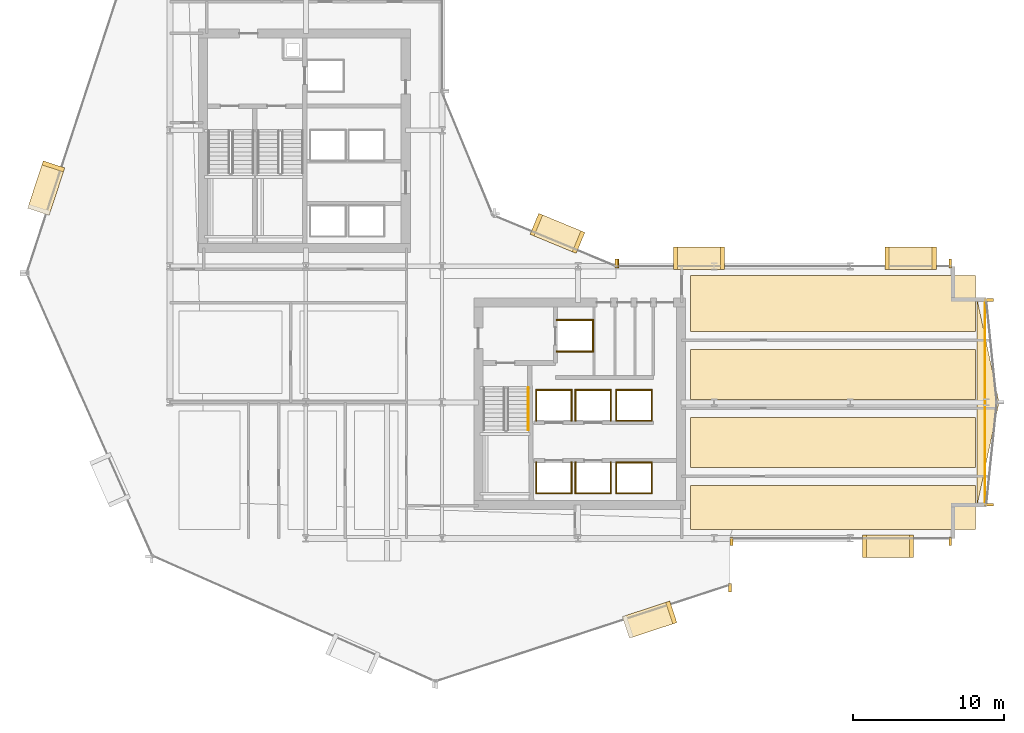
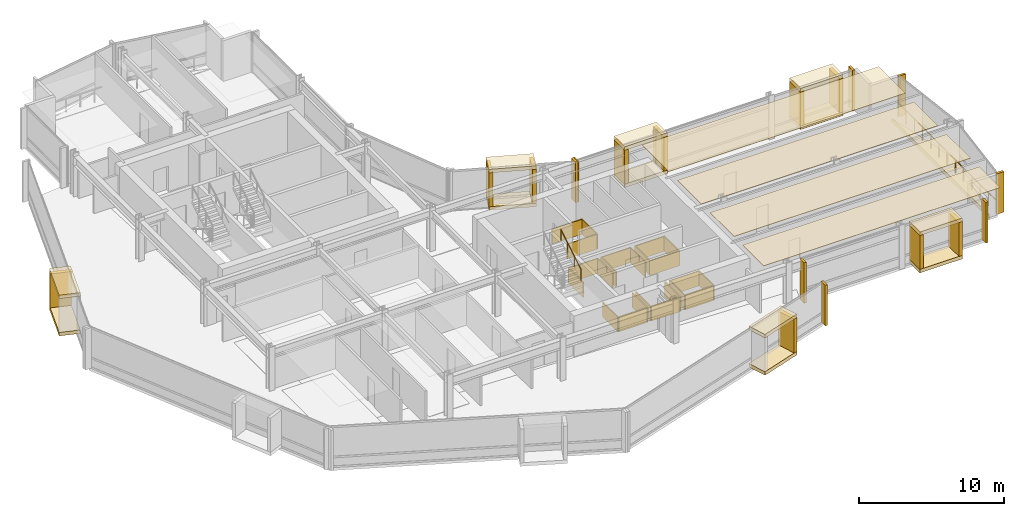
# One storey, part 32 of 34: 58 coverings, 2 railings.
"""IFC4 building model written with IfcOpenShell, lengths in metres."""

from ifc_helpers import new_model, si_unit, direction, frame, origin, origin_2d, place, context, subcontext, project, spatial, polyline, rectangle, circle, outline, extrude, material, layer, layer_set, type_object, element, save


model = new_model("IFC4")

# Units and contexts
model_context = context("Model", 3, precision=1e-05, world=origin(), true_north=direction((0.0, 1.0)))
body_context = subcontext(model_context, "Body", "Model", "MODEL_VIEW")
ifc_project = project(units=[si_unit("LENGTHUNIT", "METRE"), si_unit("AREAUNIT", "SQUARE_METRE"), si_unit("VOLUMEUNIT", "CUBIC_METRE"), si_unit("PLANEANGLEUNIT", "RADIAN"), si_unit("MASSUNIT", "GRAM", prefix="KILO")], contexts=[model_context])

# Site, building, storey
site_placement = place(None, origin())
site = spatial("IfcSite", under=ifc_project, at=site_placement, CompositionType="ELEMENT")
building_placement = place(site_placement, origin())
building = spatial("IfcBuilding", under=site, at=building_placement, Name="Solvaryn Broadcast Tower", CompositionType="ELEMENT")
storey_placement = place(building_placement, frame((0.0, 0.0, 54.5)))
storey = spatial("IfcBuildingStorey", under=building, at=storey_placement, Name="L12", CompositionType="ELEMENT", Elevation=54.5)

# Coverings
ifc_material_1 = material(Name="Micro-Perforated Acoustic Gypsum Ceiling", Category="concrete")
ifc_layer_1 = layer(ifc_material_1, 0.0400390625)
ifc_layer_set_1 = layer_set([ifc_layer_1], Name="CV-CEIL-ACOUSTIC")
covering_type_1 = type_object("IfcCoveringType", Name="CV-CEIL-ACOUSTIC", PredefinedType="CEILING", material=ifc_layer_set_1)
covering_1_placement = place(storey_placement, frame((0.0, 0.0, 3.3798828125)))
element("IfcCovering", 1, at=covering_1_placement, inside=storey, type_object=covering_type_1, Name="L12 Room Acoustic Ceiling 9", PredefinedType="CEILING", context=body_context, shape_type="SweptSolid", body=[
    extrude(outline(polyline([(43.449951171875, 9.60009765625), (62.300048828125, 9.60009765625), (62.300048828125, 12.5), (43.449951171875, 12.5), (43.449951171875, 9.60009765625)])), origin(), (0.0, 0.0, 1.0), 0.0400390625),
])
covering_2_placement = place(storey_placement, frame((0.0, 0.0, 3.3798828125)))
element("IfcCovering", 2, at=covering_2_placement, inside=storey, type_object=covering_type_1, Name="L12 Room Acoustic Ceiling 10", PredefinedType="CEILING", context=body_context, shape_type="SweptSolid", body=[
    extrude(outline(polyline([(43.449951171875, 13.699951171875), (62.300048828125, 13.699951171875), (62.300048828125, 17.0), (43.449951171875, 17.0), (43.449951171875, 13.699951171875)])), origin(), (0.0, 0.0, 1.0), 0.0400390625),
])
covering_3_placement = place(storey_placement, frame((0.0, 0.0, 3.3798828125)))
element("IfcCovering", 3, at=covering_3_placement, inside=storey, type_object=covering_type_1, Name="L12 Room Acoustic Ceiling 11", PredefinedType="CEILING", context=body_context, shape_type="SweptSolid", body=[
    extrude(outline(polyline([(43.449951171875, 18.199951171875), (62.300048828125, 18.199951171875), (62.300048828125, 21.5), (43.449951171875, 21.5), (43.449951171875, 18.199951171875)])), origin(), (0.0, 0.0, 1.0), 0.0400390625),
])
covering_4_placement = place(storey_placement, frame((0.0, 0.0, 3.3798828125)))
element("IfcCovering", 4, at=covering_4_placement, inside=storey, type_object=covering_type_1, Name="L12 Room Acoustic Ceiling 12", PredefinedType="CEILING", context=body_context, shape_type="SweptSolid", body=[
    extrude(outline(polyline([(43.449951171875, 22.699951171875), (62.300048828125, 22.699951171875), (62.300048828125, 26.39990234375), (43.449951171875, 26.39990234375), (43.449951171875, 22.699951171875)])), origin(), (0.0, 0.0, 1.0), 0.0400390625),
])
ifc_material_2 = material(Name="Fire-Rated Gypsum Shaftwall Liner", Category="concrete")
ifc_layer_2 = layer(ifc_material_2, 0.080078125)
ifc_layer_set_2 = layer_set([ifc_layer_2], Name="CV-SHAFT-LINER")
covering_type_2 = type_object("IfcCoveringType", Name="CV-SHAFT-LINER", PredefinedType="CLADDING", material=ifc_layer_set_2)
for number, where, z_axis, x_axis, name in (
    (5, (35.800048828125, 23.43994140625, 0.0), (0.0, 0.0, 1.0), (1.0, 0.0, 0.0), "L12 FL2 Hoistway Shaft Liner North"),
    (6, (35.800048828125, 21.360107421875, 0.0), (0.0, 0.0, 1.0), (1.0, 0.0, 0.0), "L12 FL2 Hoistway Shaft Liner South"),
):
    element("IfcCovering", number, at=place(storey_placement, frame(where, z_axis=z_axis, x_axis=x_axis)), inside=storey, type_object=covering_type_2, Name=name, PredefinedType="CLADDING", context=body_context, shape_type="SweptSolid", body=[
        extrude(rectangle(XDim=2.4599609375, YDim=0.080078125, at=origin_2d()), origin(), (0.0, 0.0, 1.0), 1.25),
    ])
covering_5_placement = place(storey_placement, frame((36.989990234375, 22.39990234375, 0.0), z_axis=(0.0, 0.0, 1.0), x_axis=(1.0, 0.0, 0.0)))
element("IfcCovering", 7, at=covering_5_placement, inside=storey, type_object=covering_type_2, Name="L12 FL2 Hoistway Shaft Liner East", PredefinedType="CLADDING", context=body_context, shape_type="SweptSolid", body=[
    extrude(rectangle(XDim=0.080078125, YDim=2.159912109375, at=origin_2d()), origin(), (0.0, 0.0, 1.0), 1.25),
])
covering_6_placement = place(storey_placement, frame((34.39990234375, 11.985107421875, 0.0), z_axis=(0.0, 0.0, 1.0), x_axis=(1.0, 0.0, 0.0)))
element("IfcCovering", 8, at=covering_6_placement, inside=storey, type_object=covering_type_2, Name="L12 PL1 Hoistway Shaft Liner South", PredefinedType="CLADDING", context=body_context, shape_type="SweptSolid", body=[
    extrude(rectangle(XDim=2.409912109375, YDim=0.080078125, at=origin_2d()), origin(), (0.0, 0.0, 1.0), 1.25),
])
for number, where, z_axis, x_axis, name in (
    (9, (35.56494140625, 13.0, 0.0), (0.0, 0.0, 1.0), (1.0, 0.0, 0.0), "L12 PL1 Hoistway Shaft Liner East"),
    (10, (33.235107421875, 13.0, 0.0), (0.0, 0.0, 1.0), (1.0, 0.0, 0.0), "L12 PL1 Hoistway Shaft Liner West"),
):
    element("IfcCovering", number, at=place(storey_placement, frame(where, z_axis=z_axis, x_axis=x_axis)), inside=storey, type_object=covering_type_2, Name=name, PredefinedType="CLADDING", context=body_context, shape_type="SweptSolid", body=[
        extrude(rectangle(XDim=0.080078125, YDim=2.110107421875, at=origin_2d()), origin(), (0.0, 0.0, 1.0), 1.25),
    ])
covering_7_placement = place(storey_placement, frame((37.0, 11.985107421875, 0.0), z_axis=(0.0, 0.0, 1.0), x_axis=(1.0, 0.0, 0.0)))
element("IfcCovering", 11, at=covering_7_placement, inside=storey, type_object=covering_type_2, Name="L12 PL2 Hoistway Shaft Liner South", PredefinedType="CLADDING", context=body_context, shape_type="SweptSolid", body=[
    extrude(rectangle(XDim=2.409912109375, YDim=0.080078125, at=origin_2d()), origin(), (0.0, 0.0, 1.0), 1.25),
])
for number, where, z_axis, x_axis, name in (
    (12, (38.1650390625, 13.0, 0.0), (0.0, 0.0, 1.0), (1.0, 0.0, 0.0), "L12 PL2 Hoistway Shaft Liner East"),
    (13, (35.8349609375, 13.0, 0.0), (0.0, 0.0, 1.0), (1.0, 0.0, 0.0), "L12 PL2 Hoistway Shaft Liner West"),
):
    element("IfcCovering", number, at=place(storey_placement, frame(where, z_axis=z_axis, x_axis=x_axis)), inside=storey, type_object=covering_type_2, Name=name, PredefinedType="CLADDING", context=body_context, shape_type="SweptSolid", body=[
        extrude(rectangle(XDim=0.080078125, YDim=2.110107421875, at=origin_2d()), origin(), (0.0, 0.0, 1.0), 1.25),
    ])
covering_8_placement = place(storey_placement, frame((34.39990234375, 18.81494140625, 0.0), z_axis=(0.0, 0.0, 1.0), x_axis=(1.0, 0.0, 0.0)))
element("IfcCovering", 14, at=covering_8_placement, inside=storey, type_object=covering_type_2, Name="L12 PL3 Hoistway Shaft Liner North", PredefinedType="CLADDING", context=body_context, shape_type="SweptSolid", body=[
    extrude(rectangle(XDim=2.409912109375, YDim=0.080078125, at=origin_2d()), origin(), (0.0, 0.0, 1.0), 1.25),
])
for number, where, z_axis, x_axis, name in (
    (15, (35.56494140625, 17.800048828125, 0.0), (0.0, 0.0, 1.0), (1.0, 0.0, 0.0), "L12 PL3 Hoistway Shaft Liner East"),
    (16, (33.235107421875, 17.800048828125, 0.0), (0.0, 0.0, 1.0), (1.0, 0.0, 0.0), "L12 PL3 Hoistway Shaft Liner West"),
):
    element("IfcCovering", number, at=place(storey_placement, frame(where, z_axis=z_axis, x_axis=x_axis)), inside=storey, type_object=covering_type_2, Name=name, PredefinedType="CLADDING", context=body_context, shape_type="SweptSolid", body=[
        extrude(rectangle(XDim=0.080078125, YDim=2.110107421875, at=origin_2d()), origin(), (0.0, 0.0, 1.0), 1.25),
    ])
covering_9_placement = place(storey_placement, frame((37.0, 18.81494140625, 0.0), z_axis=(0.0, 0.0, 1.0), x_axis=(1.0, 0.0, 0.0)))
element("IfcCovering", 17, at=covering_9_placement, inside=storey, type_object=covering_type_2, Name="L12 PL4 Hoistway Shaft Liner North", PredefinedType="CLADDING", context=body_context, shape_type="SweptSolid", body=[
    extrude(rectangle(XDim=2.409912109375, YDim=0.080078125, at=origin_2d()), origin(), (0.0, 0.0, 1.0), 1.25),
])
for number, where, z_axis, x_axis, name in (
    (18, (38.1650390625, 17.800048828125, 0.0), (0.0, 0.0, 1.0), (1.0, 0.0, 0.0), "L12 PL4 Hoistway Shaft Liner East"),
    (19, (35.8349609375, 17.800048828125, 0.0), (0.0, 0.0, 1.0), (1.0, 0.0, 0.0), "L12 PL4 Hoistway Shaft Liner West"),
):
    element("IfcCovering", number, at=place(storey_placement, frame(where, z_axis=z_axis, x_axis=x_axis)), inside=storey, type_object=covering_type_2, Name=name, PredefinedType="CLADDING", context=body_context, shape_type="SweptSolid", body=[
        extrude(rectangle(XDim=0.080078125, YDim=2.110107421875, at=origin_2d()), origin(), (0.0, 0.0, 1.0), 1.25),
    ])
for number, where, z_axis, x_axis, name in (
    (20, (39.699951171875, 14.014892578125, 0.0), (0.0, 0.0, 1.0), (1.0, 0.0, 0.0), "L12 PM1 Hoistway Shaft Liner North"),
    (21, (39.699951171875, 11.985107421875, 0.0), (0.0, 0.0, 1.0), (1.0, 0.0, 0.0), "L12 PM1 Hoistway Shaft Liner South"),
):
    element("IfcCovering", number, at=place(storey_placement, frame(where, z_axis=z_axis, x_axis=x_axis)), inside=storey, type_object=covering_type_2, Name=name, PredefinedType="CLADDING", context=body_context, shape_type="SweptSolid", body=[
        extrude(rectangle(XDim=2.409912109375, YDim=0.080078125, at=origin_2d()), origin(), (0.0, 0.0, 1.0), 1.25),
    ])
for number, where, z_axis, x_axis, name in (
    (22, (40.864990234375, 13.0, 0.0), (0.0, 0.0, 1.0), (1.0, 0.0, 0.0), "L12 PM1 Hoistway Shaft Liner East"),
    (23, (38.534912109375, 13.0, 0.0), (0.0, 0.0, 1.0), (1.0, 0.0, 0.0), "L12 PM1 Hoistway Shaft Liner West"),
):
    element("IfcCovering", number, at=place(storey_placement, frame(where, z_axis=z_axis, x_axis=x_axis)), inside=storey, type_object=covering_type_2, Name=name, PredefinedType="CLADDING", context=body_context, shape_type="SweptSolid", body=[
        extrude(rectangle(XDim=0.080078125, YDim=2.110107421875, at=origin_2d()), origin(), (0.0, 0.0, 1.0), 1.25),
    ])
for number, where, z_axis, x_axis, name in (
    (24, (39.699951171875, 18.81494140625, 0.0), (0.0, 0.0, 1.0), (1.0, 0.0, 0.0), "L12 PM2 Hoistway Shaft Liner North"),
    (25, (39.699951171875, 16.784912109375, 0.0), (0.0, 0.0, 1.0), (1.0, 0.0, 0.0), "L12 PM2 Hoistway Shaft Liner South"),
):
    element("IfcCovering", number, at=place(storey_placement, frame(where, z_axis=z_axis, x_axis=x_axis)), inside=storey, type_object=covering_type_2, Name=name, PredefinedType="CLADDING", context=body_context, shape_type="SweptSolid", body=[
        extrude(rectangle(XDim=2.409912109375, YDim=0.080078125, at=origin_2d()), origin(), (0.0, 0.0, 1.0), 1.25),
    ])
for number, where, z_axis, x_axis, name in (
    (26, (40.864990234375, 17.800048828125, 0.0), (0.0, 0.0, 1.0), (1.0, 0.0, 0.0), "L12 PM2 Hoistway Shaft Liner East"),
    (27, (38.534912109375, 17.800048828125, 0.0), (0.0, 0.0, 1.0), (1.0, 0.0, 0.0), "L12 PM2 Hoistway Shaft Liner West"),
):
    element("IfcCovering", number, at=place(storey_placement, frame(where, z_axis=z_axis, x_axis=x_axis)), inside=storey, type_object=covering_type_2, Name=name, PredefinedType="CLADDING", context=body_context, shape_type="SweptSolid", body=[
        extrude(rectangle(XDim=0.080078125, YDim=2.110107421875, at=origin_2d()), origin(), (0.0, 0.0, 1.0), 1.25),
    ])
ifc_material_3 = material(Name="Glazed Architectural Terracotta Rainscreen Cladding", Category="masonry")
ifc_layer_3 = layer(ifc_material_3, 0.280029296875)
ifc_layer_set_3 = layer_set([ifc_layer_3], Name="CV-TC-CLAD")
covering_type_3 = type_object("IfcCoveringType", Name="CV-TC-CLAD", PredefinedType="CLADDING", material=ifc_layer_set_3)
for number, where, z_axis, x_axis, name in (
    (28, (0.819091796875, 32.173095703125, 3.1298828125), (0.0, 0.0, 1.0), (-0.311671636848, -0.950189870912, 0.0), "L12 Projecting Stone Window Box Hood 1"),
    (29, (0.819091796875, 32.173095703125, -0.01025390625), (0.0, 0.0, 1.0), (-0.311671636848, -0.950189870912, 0.0), "L12 Projecting Stone Window Box Sill 1"),
):
    element("IfcCovering", number, at=place(storey_placement, frame(where, z_axis=z_axis, x_axis=x_axis)), inside=storey, type_object=covering_type_3, Name=name, PredefinedType="CLADDING", context=body_context, shape_type="SweptSolid", body=[
        extrude(rectangle(XDim=3.300048828125, YDim=1.5, at=origin_2d()), origin(), (0.0, 0.0, 1.0), 0.300048828125),
    ])
covering_10_placement = place(storey_placement, frame((1.28955078125, 33.60791015625, 0.27978515625), z_axis=(0.0, 0.0, 1.0), x_axis=(-0.311671636848, -0.950189870912, 0.0)))
element("IfcCovering", 30, at=covering_10_placement, inside=storey, type_object=covering_type_3, Name="L12 Projecting Stone Window Box Cheek 1-1", PredefinedType="CLADDING", context=body_context, shape_type="SweptSolid", body=[
    extrude(rectangle(XDim=0.280029296875, YDim=1.5, at=origin_2d()), origin(), (0.0, 0.0, 1.0), 2.860107421875),
])
for number, where, z_axis, x_axis, name in (
    (31, (40.73291015625, 3.6259765625, 3.1298828125), (0.0, 0.0, 1.0), (0.950189870912, 0.311671636848, 0.0), "L12 Projecting Stone Window Box Hood 4"),
    (32, (40.73291015625, 3.6259765625, -0.01025390625), (0.0, 0.0, 1.0), (0.950189870912, 0.311671636848, 0.0), "L12 Projecting Stone Window Box Sill 4"),
):
    element("IfcCovering", number, at=place(storey_placement, frame(where, z_axis=z_axis, x_axis=x_axis)), inside=storey, type_object=covering_type_3, Name=name, PredefinedType="CLADDING", context=body_context, shape_type="SweptSolid", body=[
        extrude(rectangle(XDim=3.300048828125, YDim=1.5, at=origin_2d()), origin(), (0.0, 0.0, 1.0), 0.300048828125),
    ])
covering_11_placement = place(storey_placement, frame((42.167724609375, 4.0966796875, 0.27978515625), z_axis=(0.0, 0.0, 1.0), x_axis=(0.950189870912, 0.311671636848, 0.0)))
element("IfcCovering", 33, at=covering_11_placement, inside=storey, type_object=covering_type_3, Name="L12 Projecting Stone Window Box Cheek 4-2", PredefinedType="CLADDING", context=body_context, shape_type="SweptSolid", body=[
    extrude(rectangle(XDim=0.280029296875, YDim=1.5, at=origin_2d()), origin(), (0.0, 0.0, 1.0), 2.860107421875),
])
for number, where, z_axis, x_axis, name in (
    (34, (34.636962890625, 29.174072265625, 3.1298828125), (0.0, 0.0, 1.0), (-0.923879532511, 0.382683432365, 0.0), "L12 Projecting Stone Window Box Hood 5"),
    (35, (34.636962890625, 29.174072265625, -0.01025390625), (0.0, 0.0, 1.0), (-0.923879532511, 0.382683432365, 0.0), "L12 Projecting Stone Window Box Sill 5"),
):
    element("IfcCovering", number, at=place(storey_placement, frame(where, z_axis=z_axis, x_axis=x_axis)), inside=storey, type_object=covering_type_3, Name=name, PredefinedType="CLADDING", context=body_context, shape_type="SweptSolid", body=[
        extrude(rectangle(XDim=3.300048828125, YDim=1.5, at=origin_2d()), origin(), (0.0, 0.0, 1.0), 0.300048828125),
    ])
for number, where, z_axis, x_axis, name in (
    (36, (36.031982421875, 28.59619140625, 0.27978515625), (0.0, 0.0, 1.0), (-0.923879532511, 0.382683432365, 0.0), "L12 Projecting Stone Window Box Cheek 5-1"),
    (37, (33.241943359375, 29.751953125, 0.27978515625), (0.0, 0.0, 1.0), (-0.923879532511, 0.382683432365, 0.0), "L12 Projecting Stone Window Box Cheek 5-2"),
):
    element("IfcCovering", number, at=place(storey_placement, frame(where, z_axis=z_axis, x_axis=x_axis)), inside=storey, type_object=covering_type_3, Name=name, PredefinedType="CLADDING", context=body_context, shape_type="SweptSolid", body=[
        extrude(rectangle(XDim=0.280029296875, YDim=1.5, at=origin_2d()), origin(), (0.0, 0.0, 1.0), 2.860107421875),
    ])
for number, where, z_axis, x_axis, name in (
    (38, (56.5, 8.469970703125, 3.1298828125), (0.0, 0.0, 1.0), (1.0, 0.0, 0.0), "L12 Projecting Stone Window Box Hood 6"),
    (39, (56.5, 8.469970703125, -0.01025390625), (0.0, 0.0, 1.0), (1.0, 0.0, 0.0), "L12 Projecting Stone Window Box Sill 6"),
):
    element("IfcCovering", number, at=place(storey_placement, frame(where, z_axis=z_axis, x_axis=x_axis)), inside=storey, type_object=covering_type_3, Name=name, PredefinedType="CLADDING", context=body_context, shape_type="SweptSolid", body=[
        extrude(rectangle(XDim=3.39990234375, YDim=1.5, at=origin_2d()), origin(), (0.0, 0.0, 1.0), 0.300048828125),
    ])
for number, where, z_axis, x_axis, name in (
    (40, (54.93994140625, 8.469970703125, 0.27978515625), (0.0, 0.0, 1.0), (1.0, 0.0, 0.0), "L12 Projecting Stone Window Box Cheek 6-1"),
    (41, (58.06005859375, 8.469970703125, 0.27978515625), (0.0, 0.0, 1.0), (1.0, 0.0, 0.0), "L12 Projecting Stone Window Box Cheek 6-2"),
):
    element("IfcCovering", number, at=place(storey_placement, frame(where, z_axis=z_axis, x_axis=x_axis)), inside=storey, type_object=covering_type_3, Name=name, PredefinedType="CLADDING", context=body_context, shape_type="SweptSolid", body=[
        extrude(rectangle(XDim=0.280029296875, YDim=1.5, at=origin_2d()), origin(), (0.0, 0.0, 1.0), 2.860107421875),
    ])
for number, where, z_axis, x_axis, name in (
    (42, (44.0, 27.530029296875, 3.1298828125), (0.0, 0.0, 1.0), (1.0, 0.0, 0.0), "L12 Projecting Stone Window Box Hood 7"),
    (43, (44.0, 27.530029296875, -0.01025390625), (0.0, 0.0, 1.0), (1.0, 0.0, 0.0), "L12 Projecting Stone Window Box Sill 7"),
):
    element("IfcCovering", number, at=place(storey_placement, frame(where, z_axis=z_axis, x_axis=x_axis)), inside=storey, type_object=covering_type_3, Name=name, PredefinedType="CLADDING", context=body_context, shape_type="SweptSolid", body=[
        extrude(rectangle(XDim=3.39990234375, YDim=1.5, at=origin_2d()), origin(), (0.0, 0.0, 1.0), 0.300048828125),
    ])
for number, where, z_axis, x_axis, name in (
    (44, (42.43994140625, 27.530029296875, 0.27978515625), (0.0, 0.0, 1.0), (1.0, 0.0, 0.0), "L12 Projecting Stone Window Box Cheek 7-1"),
    (45, (45.56005859375, 27.530029296875, 0.27978515625), (0.0, 0.0, 1.0), (1.0, 0.0, 0.0), "L12 Projecting Stone Window Box Cheek 7-2"),
):
    element("IfcCovering", number, at=place(storey_placement, frame(where, z_axis=z_axis, x_axis=x_axis)), inside=storey, type_object=covering_type_3, Name=name, PredefinedType="CLADDING", context=body_context, shape_type="SweptSolid", body=[
        extrude(rectangle(XDim=0.280029296875, YDim=1.5, at=origin_2d()), origin(), (0.0, 0.0, 1.0), 2.860107421875),
    ])
for number, where, z_axis, x_axis, name in (
    (46, (58.0, 27.530029296875, 3.1298828125), (0.0, 0.0, 1.0), (1.0, 0.0, 0.0), "L12 Projecting Stone Window Box Hood 8"),
    (47, (58.0, 27.530029296875, -0.01025390625), (0.0, 0.0, 1.0), (1.0, 0.0, 0.0), "L12 Projecting Stone Window Box Sill 8"),
):
    element("IfcCovering", number, at=place(storey_placement, frame(where, z_axis=z_axis, x_axis=x_axis)), inside=storey, type_object=covering_type_3, Name=name, PredefinedType="CLADDING", context=body_context, shape_type="SweptSolid", body=[
        extrude(rectangle(XDim=3.39990234375, YDim=1.5, at=origin_2d()), origin(), (0.0, 0.0, 1.0), 0.300048828125),
    ])
for number, where, z_axis, x_axis, name in (
    (48, (56.43994140625, 27.530029296875, 0.27978515625), (0.0, 0.0, 1.0), (1.0, 0.0, 0.0), "L12 Projecting Stone Window Box Cheek 8-1"),
    (49, (59.56005859375, 27.530029296875, 0.27978515625), (0.0, 0.0, 1.0), (1.0, 0.0, 0.0), "L12 Projecting Stone Window Box Cheek 8-2"),
):
    element("IfcCovering", number, at=place(storey_placement, frame(where, z_axis=z_axis, x_axis=x_axis)), inside=storey, type_object=covering_type_3, Name=name, PredefinedType="CLADDING", context=body_context, shape_type="SweptSolid", body=[
        extrude(rectangle(XDim=0.280029296875, YDim=1.5, at=origin_2d()), origin(), (0.0, 0.0, 1.0), 2.860107421875),
    ])
ifc_material_4 = material(Name="Extruded Architectural Terracotta Fin", Category="masonry")
ifc_layer_4 = layer(ifc_material_4, 0.179931640625)
ifc_layer_set_4 = layer_set([ifc_layer_4], Name="CV-TC-FIN")
covering_type_4 = type_object("IfcCoveringType", Name="CV-TC-FIN", PredefinedType="USERDEFINED", material=ifc_layer_set_4)
for number, where, z_axis, x_axis, name in (
    (50, (46.043701171875, 5.735595703125, 0.0), (0.0, 0.0, 1.0), (1.0, 0.0, 0.0), "L12 Terracotta Vertical Fin FIN-L12-DR4-M01"),
    (51, (38.541259765625, 27.177978515625, 0.0), (0.0, 0.0, 1.0), (1.0, 0.0, 0.0), "L12 Terracotta Vertical Fin FIN-L12-CN1-M00"),
    (52, (46.14599609375, 8.8125, 0.0), (0.0, 0.0, 1.0), (1.0, 0.0, 0.0), "L12 Terracotta Vertical Fin FIN-L12-S2-M00"),
    (53, (60.6201171875, 8.8125, 0.0), (0.0, 0.0, 1.0), (1.0, 0.0, 0.0), "L12 Terracotta Vertical Fin FIN-L12-S2-M01"),
):
    element("IfcCovering", number, at=place(storey_placement, frame(where, z_axis=z_axis, x_axis=x_axis)), inside=storey, type_object=covering_type_4, Name=name, ObjectType="FIN", PredefinedType="USERDEFINED", context=body_context, shape_type="SweptSolid", body=[
        extrude(rectangle(XDim=0.179931640625, YDim=0.580078125, at=origin_2d()), origin(), (0.0, 0.0, 1.0), 3.419921875),
    ])
for number, where, z_axis, x_axis, name in (
    (54, (63.190673828125, 24.770263671875, 0.0), (0.0, 0.0, 1.0), (1.0, 0.0, 0.0), "L12 Terracotta Vertical Fin FIN-L12-ET1-M00"),
    (55, (63.190673828125, 11.229736328125, 0.0), (0.0, 0.0, 1.0), (1.0, 0.0, 0.0), "L12 Terracotta Vertical Fin FIN-L12-ET2-M01"),
):
    element("IfcCovering", number, at=place(storey_placement, frame(where, z_axis=z_axis, x_axis=x_axis)), inside=storey, type_object=covering_type_4, Name=name, ObjectType="FIN", PredefinedType="USERDEFINED", context=body_context, shape_type="SweptSolid", body=[
        extrude(rectangle(XDim=0.580078125, YDim=0.179931640625, at=origin_2d()), origin(), (0.0, 0.0, 1.0), 3.419921875),
    ])
for number, where, z_axis, x_axis, name in (
    (56, (38.6298828125, 27.1875, 0.0), (0.0, 0.0, 1.0), (1.0, 0.0, 0.0), "L12 Terracotta Vertical Fin FIN-L12-IH-M00"),
    (57, (60.6201171875, 27.1875, 0.0), (0.0, 0.0, 1.0), (1.0, 0.0, 0.0), "L12 Terracotta Vertical Fin FIN-L12-IH-M01"),
):
    element("IfcCovering", number, at=place(storey_placement, frame(where, z_axis=z_axis, x_axis=x_axis)), inside=storey, type_object=covering_type_4, Name=name, ObjectType="FIN", PredefinedType="USERDEFINED", context=body_context, shape_type="SweptSolid", body=[
        extrude(rectangle(XDim=0.179931640625, YDim=0.580078125, at=origin_2d()), origin(), (0.0, 0.0, 1.0), 3.419921875),
    ])
ifc_material_5 = material(Name="Sculpted Architectural Terracotta Wave Fascia", Category="masonry")
ifc_layer_5 = layer(ifc_material_5, 0.340087890625)
ifc_layer_set_5 = layer_set([ifc_layer_5], Name="CV-WAVE-TRAY")
covering_type_5 = type_object("IfcCoveringType", Name="CV-WAVE-TRAY", PredefinedType="CLADDING", material=ifc_layer_set_5)
covering_12_placement = place(storey_placement, frame((0.0, 0.0, -0.300048828125)))
element("IfcCovering", 58, at=covering_12_placement, inside=storey, type_object=covering_type_5, Name="L12 East Curved Wing Deck", PredefinedType="CLADDING", context=body_context, shape_type="SweptSolid", body=[
    extrude(outline(polyline([(62.39990234375, 11.199951171875), (63.85009765625, 18.0), (62.39990234375, 24.800048828125), (62.39990234375, 11.199951171875)])), origin(), (0.0, 0.0, 1.0), 0.330078125),
])

# Railings
ifc_material_6 = material(Name="Brushed Stainless Steel Tubular Handrail", Category="steel")
railing_type_1 = type_object("IfcRailingType", Name="RL-STAIR-HANDRAIL", PredefinedType="HANDRAIL", material=ifc_material_6)
railing_1_placement = place(storey_placement, frame((32.699951171875, 16.159912109375, 2.01806640625)))
element("IfcRailing", 59, at=railing_1_placement, inside=storey, type_object=railing_type_1, Name="L12 ST3 stair handrail 2", PredefinedType="HANDRAIL", context=body_context, shape_type="SweptSolid", body=[
    extrude(circle(Radius=0.02392578125, at=origin_2d()), frame((0.0, 0.0, 0.8759765625), z_axis=(0.0, 0.857242210791, 0.514913383045), x_axis=(-1.0, 0.0, 0.0)), (0.0, 0.0, 1.0), 3.266357421875),
    extrude(circle(Radius=0.02099609375, at=origin_2d()), origin(), (0.0, 0.0, 1.0), 0.851806640625),
    extrude(circle(Radius=0.02099609375, at=origin_2d()), frame((0.0, 0.933349609375, 0.560546875)), (0.0, 0.0, 1.0), 0.851806640625),
    extrude(circle(Radius=0.02099609375, at=origin_2d()), frame((0.0, 1.86669921875, 1.121337890625)), (0.0, 0.0, 1.0), 0.851806640625),
    extrude(circle(Radius=0.02099609375, at=origin_2d()), frame((0.0, 2.800048828125, 1.681884765625)), (0.0, 0.0, 1.0), 0.851806640625),
])
ifc_material_7 = material(Name="Stainless Steel and Laminated Glass Guard", Category="steel")
railing_type_2 = type_object("IfcRailingType", Name="RL-TER-1150", PredefinedType="BALUSTRADE", material=ifc_material_7)
railing_2_placement = place(storey_placement, frame((62.919921875, 11.199951171875, 0.0)))
element("IfcRailing", 60, at=railing_2_placement, inside=storey, type_object=railing_type_2, Name="L12 East Wing Spandrel Edge Guard", PredefinedType="BALUSTRADE", context=body_context, shape_type="SweptSolid", body=[
    extrude(circle(Radius=0.02392578125, at=origin_2d()), frame((0.0, 0.0, 1.1259765625), z_axis=(0.0, 1.0, 0.0), x_axis=(-1.0, 0.0, 0.0)), (0.0, 0.0, 1.0), 13.60009765625),
    extrude(circle(Radius=0.02099609375, at=origin_2d()), origin(), (0.0, 0.0, 1.0), 1.101806640625),
    extrude(circle(Radius=0.02099609375, at=origin_2d()), frame((0.0, 1.13330078125, 0.0)), (0.0, 0.0, 1.0), 1.101806640625),
    extrude(circle(Radius=0.02099609375, at=origin_2d()), frame((0.0, 2.2666015625, 0.0)), (0.0, 0.0, 1.0), 1.101806640625),
    extrude(circle(Radius=0.02099609375, at=origin_2d()), frame((0.0, 3.39990234375, 0.0)), (0.0, 0.0, 1.0), 1.101806640625),
    extrude(circle(Radius=0.02099609375, at=origin_2d()), frame((0.0, 4.533447265625, 0.0)), (0.0, 0.0, 1.0), 1.101806640625),
    extrude(circle(Radius=0.02099609375, at=origin_2d()), frame((0.0, 5.666748046875, 0.0)), (0.0, 0.0, 1.0), 1.101806640625),
    extrude(circle(Radius=0.02099609375, at=origin_2d()), frame((0.0, 6.800048828125, 0.0)), (0.0, 0.0, 1.0), 1.101806640625),
    extrude(circle(Radius=0.02099609375, at=origin_2d()), frame((0.0, 7.933349609375, 0.0)), (0.0, 0.0, 1.0), 1.101806640625),
    extrude(circle(Radius=0.02099609375, at=origin_2d()), frame((0.0, 9.066650390625, 0.0)), (0.0, 0.0, 1.0), 1.101806640625),
    extrude(circle(Radius=0.02099609375, at=origin_2d()), frame((0.0, 10.2001953125, 0.0)), (0.0, 0.0, 1.0), 1.101806640625),
    extrude(circle(Radius=0.02099609375, at=origin_2d()), frame((0.0, 11.33349609375, 0.0)), (0.0, 0.0, 1.0), 1.101806640625),
    extrude(circle(Radius=0.02099609375, at=origin_2d()), frame((0.0, 12.466796875, 0.0)), (0.0, 0.0, 1.0), 1.101806640625),
    extrude(circle(Radius=0.02099609375, at=origin_2d()), frame((0.0, 13.60009765625, 0.0)), (0.0, 0.0, 1.0), 1.101806640625),
])

save(model, "model.ifc")
